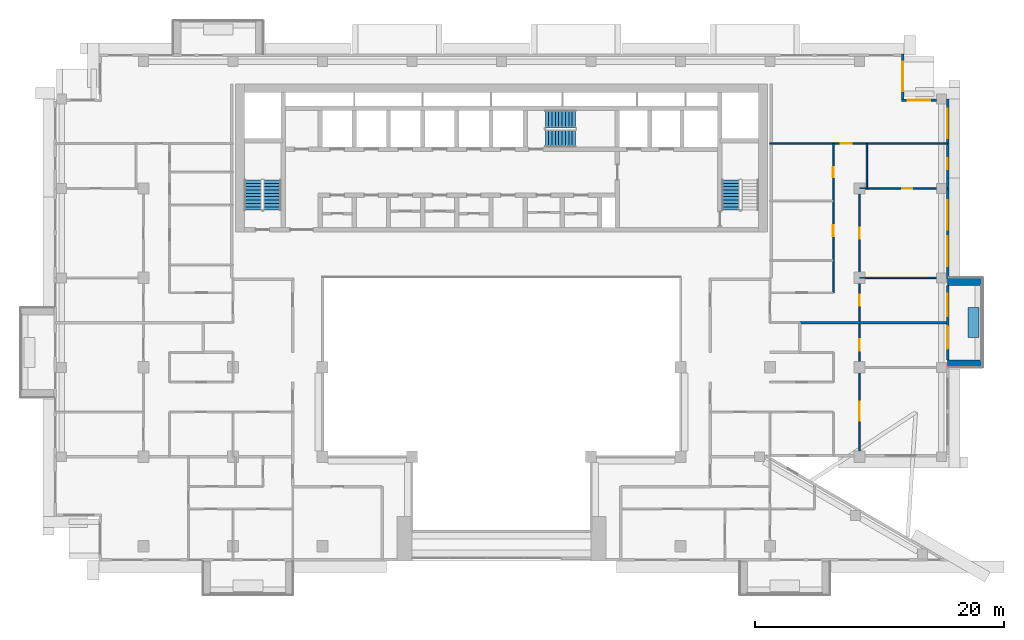
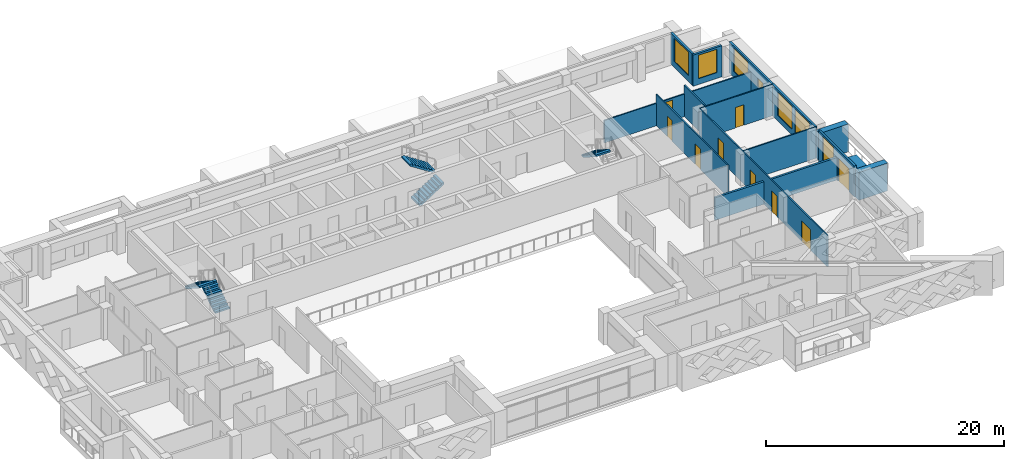
# One storey, part 12 of 20: 14 walls, 9 doors, 7 windows, 5 stair flights, 16 openings, 3 elements without a shape of their own.
"""IFC4 building model written with IfcOpenShell, lengths in metres."""

from ifc_helpers import new_model, si_unit, direction, frame, frame_2d, origin, place, context, subcontext, project, spatial, polyline, rectangle, outline, extrude, material, layer, layer_set, type_object, element, fill, aggregate, save


model = new_model("IFC4")

# Units and contexts
model_context = context("Model", 3, precision=1e-05, world=origin(), true_north=direction((0.0, 1.0)))
body_context = subcontext(model_context, "Body", "Model", "MODEL_VIEW")
ifc_project = project(units=[si_unit("LENGTHUNIT", "METRE"), si_unit("AREAUNIT", "SQUARE_METRE"), si_unit("VOLUMEUNIT", "CUBIC_METRE"), si_unit("PLANEANGLEUNIT", "RADIAN"), si_unit("MASSUNIT", "GRAM", prefix="KILO")], contexts=[model_context])

# Site, building, storey
site_placement = place(None, origin())
site = spatial("IfcSite", under=ifc_project, at=site_placement, CompositionType="ELEMENT")
building_placement = place(site_placement, origin())
building = spatial("IfcBuilding", under=site, at=building_placement, Name="Saffron Iwan Residences", CompositionType="ELEMENT")
storey_placement = place(building_placement, frame((0.0, 0.0, 181.5)))
storey = spatial("IfcBuildingStorey", under=building, at=storey_placement, Name="L48", CompositionType="ELEMENT", Elevation=181.5)

# Walls
ifc_material_1 = material(Name="Concrete C50/60 white painted", Category="concrete")
ifc_layer_1 = layer(ifc_material_1, 0.60009765625)
ifc_layer_set_1 = layer_set([ifc_layer_1], Name="Concrete C50/60 white painted")
wall_type_1 = type_object("IfcWallType", Name="BALCONY FIN 600", PredefinedType="SOLIDWALL", material=ifc_layer_set_1)
for number, where, z_axis, x_axis, name in (
    (1, (86.300048828125, 55.5, 0.0), (0.0, 0.0, 1.0), (1.0, 0.0, 0.0), "Balcony fin L48 F2-0a"),
    (2, (86.300048828125, 62.10009765625, 0.0), (0.0, 0.0, 1.0), (1.0, 0.0, 0.0), "Balcony fin L48 F2-0b"),
):
    element("IfcWall", number, at=place(storey_placement, frame(where, z_axis=z_axis, x_axis=x_axis)), inside=storey, type_object=wall_type_1, Name=name, PredefinedType="SOLIDWALL", context=body_context, shape_type="SweptSolid", body=[
        extrude(rectangle(XDim=2.800048828125, YDim=0.60009765625, at=frame_2d((1.39990234375, 0.0))), origin(), (0.0, 0.0, 1.0), 2.85009765625),
    ])
ifc_material_2 = material(Name="Concrete C35/45 white painted", Category="concrete")
ifc_layer_2 = layer(ifc_material_2, 0.14990234375)
ifc_layer_set_2 = layer_set([ifc_layer_2], Name="Concrete C35/45 white painted")
wall_type_2 = type_object("IfcWallType", Name="BALCONY PLANTER", PredefinedType="SOLIDWALL", material=ifc_layer_set_2)
wall_1_placement = place(storey_placement, frame((88.375, 57.60009765625, 0.0), z_axis=(0.0, 0.0, 1.0), x_axis=(0.0, 1.0, 0.0)))
element("IfcWall", 3, at=wall_1_placement, inside=storey, type_object=wall_type_2, Name="PLANTER L48 F2-0", PredefinedType="SOLIDWALL", context=body_context, shape_type="SweptSolid", body=[
    extrude(rectangle(XDim=2.39990234375, YDim=0.89990234375, at=frame_2d((1.199951171875, 0.0))), origin(), (0.0, 0.0, 1.0), 0.89990234375),
])

# Wall, openings, door, window
ifc_material_3 = material(Name="Concrete C40/50", Category="concrete")
ifc_layer_3 = layer(ifc_material_3, 0.199951171875)
ifc_layer_set_3 = layer_set([ifc_layer_3], Name="Concrete C40/50")
wall_type_3 = type_object("IfcWallType", Name="EXTERNAL WALL 200", PredefinedType="SOLIDWALL", material=ifc_layer_set_3)
wall_2_placement = place(storey_placement, frame((86.300048828125, 55.800048828125, 0.0), z_axis=(0.0, 0.0, 1.0), x_axis=(0.0, 1.0, 0.0)))
wall_2 = element("IfcWall", 4, at=wall_2_placement, inside=storey, type_object=wall_type_3, Name="External wall L48 F2.1", PredefinedType="SOLIDWALL", context=body_context, shape_type="SweptSolid", body=[
    extrude(rectangle(XDim=6.0, YDim=0.199951171875, at=frame_2d((3.0, 0.0))), origin(), (0.0, 0.0, 1.0), 3.199951171875),
])
opening_1_placement = place(wall_2_placement, frame((0.89990234375, 0.0, 0.0)))
opening_1 = element("IfcOpeningElement", 5, at=opening_1_placement, cuts=wall_2, Name="Opening BD1", PredefinedType="OPENING", context=body_context, shape_type="SweptSolid", body=[
    extrude(rectangle(XDim=1.800048828125, YDim=2.39990234375, at=frame_2d((0.89990234375, 1.199951171875))), frame((0.0, 0.10986328125, 0.0), z_axis=(0.0, -1.0, 0.0), x_axis=(1.0, 0.0, 0.0)), (0.0, 0.0, 1.0), 0.219970703125),
])
opening_2_placement = place(wall_2_placement, frame((3.5, 0.0, 0.60009765625)))
opening_2 = element("IfcOpeningElement", 6, at=opening_2_placement, cuts=wall_2, Name="Opening W8", PredefinedType="OPENING", context=body_context, shape_type="SweptSolid", body=[
    extrude(rectangle(XDim=1.800048828125, YDim=2.39990234375, at=frame_2d((0.89990234375, 1.199951171875))), frame((0.0, 0.10986328125, 0.0), z_axis=(0.0, -1.0, 0.0), x_axis=(1.0, 0.0, 0.0)), (0.0, 0.0, 1.0), 0.219970703125),
])
ifc_material_4 = material(Name="Clear glass, laminated double glazed", Category="glass")
door_type_1 = type_object("IfcDoorType", Name="BALCONY DOOR 1800 x 2400", OperationType="DOUBLE_DOOR_SLIDING", PredefinedType="DOOR", material=ifc_material_4)
door_1_placement = place(opening_1_placement, origin())
door_1 = element("IfcDoor", 7, at=door_1_placement, inside=storey, type_object=door_type_1, Name="Balcony door L48 F2.0", OperationType="DOUBLE_DOOR_SLIDING", OverallHeight=2.39990234375, OverallWidth=1.800048828125, PredefinedType="DOOR", context=body_context, shape_type="SweptSolid", body=[
    extrude(rectangle(XDim=1.800048828125, YDim=2.39990234375, at=frame_2d((0.89990234375, 1.199951171875))), frame((0.0, 0.02490234375, 0.0), z_axis=(0.0, -1.0, 0.0), x_axis=(1.0, 0.0, 0.0)), (0.0, 0.0, 1.0), 0.050048828125),
])
fill(opening_1, door_1)
window_type_1 = type_object("IfcWindowType", Name="WINDOW 1800 x 2400", PartitioningType="DOUBLE_PANEL_VERTICAL", PredefinedType="WINDOW", material=ifc_material_4)
window_1_placement = place(opening_2_placement, origin())
window_1 = element("IfcWindow", 8, at=window_1_placement, inside=storey, type_object=window_type_1, Name="Window L48 F2.1", OverallHeight=2.39990234375, OverallWidth=1.800048828125, PartitioningType="DOUBLE_PANEL_VERTICAL", PredefinedType="WINDOW", context=body_context, shape_type="SweptSolid", body=[
    extrude(rectangle(XDim=1.800048828125, YDim=2.39990234375, at=frame_2d((0.89990234375, 1.199951171875))), frame((0.0, 0.030029296875, 0.0), z_axis=(0.0, -1.0, 0.0), x_axis=(1.0, 0.0, 0.0)), (0.0, 0.0, 1.0), 0.06005859375),
])
fill(opening_2, window_1)

# Wall, openings, windows
wall_3_placement = place(storey_placement, frame((86.300048828125, 62.39990234375, 0.0), z_axis=(0.0, 0.0, 1.0), x_axis=(0.0, 1.0, 0.0)))
wall_3 = element("IfcWall", 9, at=wall_3_placement, inside=storey, type_object=wall_type_3, Name="External wall L48 F2.2", PredefinedType="SOLIDWALL", context=body_context, shape_type="SweptSolid", body=[
    extrude(rectangle(XDim=14.400146484375, YDim=0.199951171875, at=frame_2d((7.2001953125, 0.0))), origin(), (0.0, 0.0, 1.0), 3.199951171875),
])
opening_3_placement = place(wall_3_placement, frame((0.949951171875, 0.0, 0.60009765625)))
opening_3 = element("IfcOpeningElement", 10, at=opening_3_placement, cuts=wall_3, Name="Opening W1", PredefinedType="OPENING", context=body_context, shape_type="SweptSolid", body=[
    extrude(rectangle(XDim=2.39990234375, YDim=2.39990234375, at=frame_2d((1.199951171875, 1.199951171875))), frame((0.0, 0.10986328125, 0.0), z_axis=(0.0, -1.0, 0.0), x_axis=(1.0, 0.0, 0.0)), (0.0, 0.0, 1.0), 0.219970703125),
])
opening_4_placement = place(wall_3_placement, frame((3.85009765625, 0.0, 0.60009765625)))
opening_4 = element("IfcOpeningElement", 11, at=opening_4_placement, cuts=wall_3, Name="Opening W1", PredefinedType="OPENING", context=body_context, shape_type="SweptSolid", body=[
    extrude(rectangle(XDim=2.39990234375, YDim=2.39990234375, at=frame_2d((1.199951171875, 1.199951171875))), frame((0.0, 0.10986328125, 0.0), z_axis=(0.0, -1.0, 0.0), x_axis=(1.0, 0.0, 0.0)), (0.0, 0.0, 1.0), 0.219970703125),
])
opening_5_placement = place(wall_3_placement, frame((8.72509765625, 0.0, 1.5)))
opening_5 = element("IfcOpeningElement", 12, at=opening_5_placement, cuts=wall_3, Name="Opening W6", PredefinedType="OPENING", context=body_context, shape_type="SweptSolid", body=[
    extrude(rectangle(XDim=0.89990234375, YDim=0.89990234375, at=frame_2d((0.449951171875, 0.449951171875))), frame((0.0, 0.10986328125, 0.0), z_axis=(0.0, -1.0, 0.0), x_axis=(1.0, 0.0, 0.0)), (0.0, 0.0, 1.0), 0.219970703125),
])
opening_6_placement = place(wall_3_placement, frame((11.22509765625, 0.0, 0.60009765625)))
opening_6 = element("IfcOpeningElement", 13, at=opening_6_placement, cuts=wall_3, Name="Opening W1", PredefinedType="OPENING", context=body_context, shape_type="SweptSolid", body=[
    extrude(rectangle(XDim=2.39990234375, YDim=2.39990234375, at=frame_2d((1.199951171875, 1.199951171875))), frame((0.0, 0.10986328125, 0.0), z_axis=(0.0, -1.0, 0.0), x_axis=(1.0, 0.0, 0.0)), (0.0, 0.0, 1.0), 0.219970703125),
])
window_type_2 = type_object("IfcWindowType", Name="WINDOW 2400 x 2400", PartitioningType="DOUBLE_PANEL_VERTICAL", PredefinedType="WINDOW", material=ifc_material_4)
window_2_placement = place(opening_3_placement, origin())
window_2 = element("IfcWindow", 14, at=window_2_placement, inside=storey, type_object=window_type_2, Name="Window L48 F2.0", OverallHeight=2.39990234375, OverallWidth=2.39990234375, PartitioningType="DOUBLE_PANEL_VERTICAL", PredefinedType="WINDOW", context=body_context, shape_type="SweptSolid", body=[
    extrude(rectangle(XDim=2.39990234375, YDim=2.39990234375, at=frame_2d((1.199951171875, 1.199951171875))), frame((0.0, 0.030029296875, 0.0), z_axis=(0.0, -1.0, 0.0), x_axis=(1.0, 0.0, 0.0)), (0.0, 0.0, 1.0), 0.06005859375),
])
fill(opening_3, window_2)
window_3_placement = place(opening_4_placement, origin())
window_3 = element("IfcWindow", 15, at=window_3_placement, inside=storey, type_object=window_type_2, Name="Window L48 F2.1", OverallHeight=2.39990234375, OverallWidth=2.39990234375, PartitioningType="DOUBLE_PANEL_VERTICAL", PredefinedType="WINDOW", context=body_context, shape_type="SweptSolid", body=[
    extrude(rectangle(XDim=2.39990234375, YDim=2.39990234375, at=frame_2d((1.199951171875, 1.199951171875))), frame((0.0, 0.030029296875, 0.0), z_axis=(0.0, -1.0, 0.0), x_axis=(1.0, 0.0, 0.0)), (0.0, 0.0, 1.0), 0.06005859375),
])
fill(opening_4, window_3)
window_4_placement = place(opening_6_placement, origin())
window_4 = element("IfcWindow", 16, at=window_4_placement, inside=storey, type_object=window_type_2, Name="Window L48 F2.3", OverallHeight=2.39990234375, OverallWidth=2.39990234375, PartitioningType="DOUBLE_PANEL_VERTICAL", PredefinedType="WINDOW", context=body_context, shape_type="SweptSolid", body=[
    extrude(rectangle(XDim=2.39990234375, YDim=2.39990234375, at=frame_2d((1.199951171875, 1.199951171875))), frame((0.0, 0.030029296875, 0.0), z_axis=(0.0, -1.0, 0.0), x_axis=(1.0, 0.0, 0.0)), (0.0, 0.0, 1.0), 0.06005859375),
])
fill(opening_6, window_4)
window_type_3 = type_object("IfcWindowType", Name="WINDOW 900 x 900 BATH", PartitioningType="SINGLE_PANEL", PredefinedType="WINDOW", material=ifc_material_4)
window_5_placement = place(opening_5_placement, origin())
window_5 = element("IfcWindow", 17, at=window_5_placement, inside=storey, type_object=window_type_3, Name="Window L48 F2.2", OverallHeight=0.89990234375, OverallWidth=0.89990234375, PartitioningType="SINGLE_PANEL", PredefinedType="WINDOW", context=body_context, shape_type="SweptSolid", body=[
    extrude(rectangle(XDim=0.89990234375, YDim=0.89990234375, at=frame_2d((0.449951171875, 0.449951171875))), frame((0.0, 0.030029296875, 0.0), z_axis=(0.0, -1.0, 0.0), x_axis=(1.0, 0.0, 0.0)), (0.0, 0.0, 1.0), 0.06005859375),
])
fill(opening_5, window_5)

# Wall, opening, window
wall_4_placement = place(storey_placement, frame((85.39990234375, 76.699951171875, 0.0), z_axis=(0.0, 0.0, 1.0), x_axis=(-1.0, 0.0, 0.0)))
wall_4 = element("IfcWall", 18, at=wall_4_placement, inside=storey, type_object=wall_type_3, Name="External wall L48 F3.0", PredefinedType="SOLIDWALL", context=body_context, shape_type="SweptSolid", body=[
    extrude(rectangle(XDim=2.7998046875, YDim=0.199951171875, at=frame_2d((1.39990234375, 0.0))), origin(), (0.0, 0.0, 1.0), 3.199951171875),
])
opening_7_placement = place(wall_4_placement, frame((0.5, 0.0, 0.60009765625)))
opening_7 = element("IfcOpeningElement", 19, at=opening_7_placement, cuts=wall_4, Name="Opening W8", PredefinedType="OPENING", context=body_context, shape_type="SweptSolid", body=[
    extrude(rectangle(XDim=1.800048828125, YDim=2.39990234375, at=frame_2d((0.89990234375, 1.199951171875))), frame((0.0, 0.10986328125, 0.0), z_axis=(0.0, -1.0, 0.0), x_axis=(1.0, 0.0, 0.0)), (0.0, 0.0, 1.0), 0.219970703125),
])
window_6_placement = place(opening_7_placement, origin())
window_6 = element("IfcWindow", 20, at=window_6_placement, inside=storey, type_object=window_type_1, Name="Window L48 F3.0", OverallHeight=2.39990234375, OverallWidth=1.800048828125, PartitioningType="DOUBLE_PANEL_VERTICAL", PredefinedType="WINDOW", context=body_context, shape_type="SweptSolid", body=[
    extrude(rectangle(XDim=1.800048828125, YDim=2.39990234375, at=frame_2d((0.89990234375, 1.199951171875))), frame((0.0, 0.030029296875, 0.0), z_axis=(0.0, -1.0, 0.0), x_axis=(1.0, 0.0, 0.0)), (0.0, 0.0, 1.0), 0.06005859375),
])
fill(opening_7, window_6)

wall_5_placement = place(storey_placement, frame((82.699951171875, 76.800048828125, 0.0), z_axis=(0.0, 0.0, 1.0), x_axis=(0.0, 1.0, 0.0)))
wall_5 = element("IfcWall", 21, at=wall_5_placement, inside=storey, type_object=wall_type_3, Name="External wall L48 F4.0", PredefinedType="SOLIDWALL", context=body_context, shape_type="SweptSolid", body=[
    extrude(rectangle(XDim=3.599853515625, YDim=0.199951171875, at=frame_2d((1.7998046875, 0.0))), origin(), (0.0, 0.0, 1.0), 3.199951171875),
])
opening_8_placement = place(wall_5_placement, frame((0.60009765625, 0.0, 0.60009765625)))
opening_8 = element("IfcOpeningElement", 22, at=opening_8_placement, cuts=wall_5, Name="Opening W1", PredefinedType="OPENING", context=body_context, shape_type="SweptSolid", body=[
    extrude(rectangle(XDim=2.39990234375, YDim=2.39990234375, at=frame_2d((1.199951171875, 1.199951171875))), frame((0.0, 0.10986328125, 0.0), z_axis=(0.0, -1.0, 0.0), x_axis=(1.0, 0.0, 0.0)), (0.0, 0.0, 1.0), 0.219970703125),
])
window_7_placement = place(opening_8_placement, origin())
window_7 = element("IfcWindow", 23, at=window_7_placement, inside=storey, type_object=window_type_2, Name="Window L48 F4.0", OverallHeight=2.39990234375, OverallWidth=2.39990234375, PartitioningType="DOUBLE_PANEL_VERTICAL", PredefinedType="WINDOW", context=body_context, shape_type="SweptSolid", body=[
    extrude(rectangle(XDim=2.39990234375, YDim=2.39990234375, at=frame_2d((1.199951171875, 1.199951171875))), frame((0.0, 0.030029296875, 0.0), z_axis=(0.0, -1.0, 0.0), x_axis=(1.0, 0.0, 0.0)), (0.0, 0.0, 1.0), 0.06005859375),
])
fill(opening_8, window_7)

# Walls
ifc_material_5 = material(Name="Fire-rated gypsum board wall")
ifc_layer_4 = layer(ifc_material_5, 0.199951171875)
ifc_layer_set_4 = layer_set([ifc_layer_4], Name="Fire-rated gypsum board wall")
wall_type_4 = type_object("IfcWallType", Name="Flat demising wall 200", PredefinedType="SOLIDWALL", material=ifc_layer_set_4)
wall_6_placement = place(storey_placement, frame((74.39990234375, 58.800048828125, 0.0), z_axis=(0.0, 0.0, 1.0), x_axis=(1.0, 0.0, 0.0)))
element("IfcWall", 24, at=wall_6_placement, inside=storey, type_object=wall_type_4, Name="W-L48-DEMISE-h58.8-74.4", PredefinedType="SOLIDWALL", context=body_context, shape_type="SweptSolid", body=[
    extrude(rectangle(XDim=11.875, YDim=0.199951171875, at=frame_2d((5.9375, 0.0))), origin(), (0.0, 0.0, 1.0), 2.300048828125),
])
ifc_material_6 = material(Name="Gypsum board partition")
ifc_layer_5 = layer(ifc_material_6, 0.1201171875)
ifc_layer_set_5 = layer_set([ifc_layer_5], Name="Gypsum board partition")
wall_type_5 = type_object("IfcWallType", Name="Flat partition 120", PredefinedType="PARTITIONING", material=ifc_layer_set_5)
wall_7_placement = place(storey_placement, frame((79.199951171875, 62.39990234375, 0.0), z_axis=(0.0, 0.0, 1.0), x_axis=(1.0, 0.0, 0.0)))
element("IfcWall", 25, at=wall_7_placement, inside=storey, type_object=wall_type_5, Name="W-L48-PART-h62.4-79.2", PredefinedType="PARTITIONING", context=body_context, shape_type="SweptSolid", body=[
    extrude(rectangle(XDim=7.074951171875, YDim=0.1201171875, at=frame_2d((3.53759765625, 0.0))), origin(), (0.0, 0.0, 1.0), 3.199951171875),
])

# Wall, opening, door
wall_8_placement = place(storey_placement, frame((79.199951171875, 69.60009765625, 0.0), z_axis=(0.0, 0.0, 1.0), x_axis=(1.0, 0.0, 0.0)))
wall_8 = element("IfcWall", 26, at=wall_8_placement, inside=storey, type_object=wall_type_5, Name="W-L48-PART-h69.6-79.2", PredefinedType="PARTITIONING", context=body_context, shape_type="SweptSolid", body=[
    extrude(rectangle(XDim=7.074951171875, YDim=0.1201171875, at=frame_2d((3.53759765625, 0.0))), origin(), (0.0, 0.0, 1.0), 3.199951171875),
])
opening_9_placement = place(wall_8_placement, frame((3.4375, 0.0, 0.0)))
opening_9 = element("IfcOpeningElement", 27, at=opening_9_placement, cuts=wall_8, Name="Opening FD3", PredefinedType="OPENING", context=body_context, shape_type="SweptSolid", body=[
    extrude(rectangle(XDim=0.800048828125, YDim=2.10009765625, at=frame_2d((0.39990234375, 1.050048828125))), frame((0.0, 0.070068359375, 0.0), z_axis=(0.0, -1.0, 0.0), x_axis=(1.0, 0.0, 0.0)), (0.0, 0.0, 1.0), 0.14013671875),
])
ifc_material_7 = material(Name="Timber door", Category="wood")
door_type_2 = type_object("IfcDoorType", Name="Bathroom door 800", OperationType="NOTDEFINED", PredefinedType="DOOR", material=ifc_material_7)
door_2_placement = place(opening_9_placement, origin())
door_2 = element("IfcDoor", 28, at=door_2_placement, inside=storey, type_object=door_type_2, Name="Door L48-034", OperationType="SINGLE_SWING_RIGHT", OverallHeight=2.10009765625, OverallWidth=0.800048828125, PredefinedType="DOOR", context=body_context, shape_type="SweptSolid", body=[
    extrude(rectangle(XDim=0.800048828125, YDim=2.10009765625, at=frame_2d((0.39990234375, 1.050048828125))), frame((0.0, 0.02490234375, 0.0), z_axis=(0.0, -1.0, 0.0), x_axis=(1.0, 0.0, 0.0)), (0.0, 0.0, 1.0), 0.050048828125),
])
fill(opening_9, door_2)

wall_9_placement = place(storey_placement, frame((72.0, 73.199951171875, 0.0), z_axis=(0.0, 0.0, 1.0), x_axis=(1.0, 0.0, 0.0)))
wall_9 = element("IfcWall", 29, at=wall_9_placement, inside=storey, type_object=wall_type_5, Name="W-L48-PART-h73.2-72", PredefinedType="PARTITIONING", context=body_context, shape_type="SweptSolid", body=[
    extrude(rectangle(XDim=14.27490234375, YDim=0.1201171875, at=frame_2d((7.137451171875, 0.0))), origin(), (0.0, 0.0, 1.0), 2.300048828125),
])
opening_10_placement = place(wall_9_placement, frame((5.699951171875, 0.0, 0.0)))
opening_10 = element("IfcOpeningElement", 30, at=opening_10_placement, cuts=wall_9, Name="Opening FD2", PredefinedType="OPENING", context=body_context, shape_type="SweptSolid", body=[
    extrude(rectangle(XDim=0.89990234375, YDim=2.10009765625, at=frame_2d((0.449951171875, 1.050048828125))), frame((0.0, 0.070068359375, 0.0), z_axis=(0.0, -1.0, 0.0), x_axis=(1.0, 0.0, 0.0)), (0.0, 0.0, 1.0), 0.14013671875),
])
door_type_3 = type_object("IfcDoorType", Name="Flat door 900", OperationType="NOTDEFINED", PredefinedType="DOOR", material=ifc_material_7)
door_3_placement = place(opening_10_placement, origin())
door_3 = element("IfcDoor", 31, at=door_3_placement, inside=storey, type_object=door_type_3, Name="Door L48-035", OperationType="SINGLE_SWING_LEFT", OverallHeight=2.10009765625, OverallWidth=0.89990234375, PredefinedType="DOOR", context=body_context, shape_type="SweptSolid", body=[
    extrude(rectangle(XDim=0.89990234375, YDim=2.10009765625, at=frame_2d((0.449951171875, 1.050048828125))), frame((0.0, 0.02490234375, 0.0), z_axis=(0.0, -1.0, 0.0), x_axis=(1.0, 0.0, 0.0)), (0.0, 0.0, 1.0), 0.050048828125),
])
fill(opening_10, door_3)

# Wall, openings, doors
wall_10_placement = place(storey_placement, frame((77.10009765625, 61.199951171875, 0.0), z_axis=(0.0, 0.0, 1.0), x_axis=(0.0, 1.0, 0.0)))
wall_10 = element("IfcWall", 32, at=wall_10_placement, inside=storey, type_object=wall_type_5, Name="W-L48-PART-v77.1-61.2", PredefinedType="PARTITIONING", context=body_context, shape_type="SweptSolid", body=[
    extrude(rectangle(XDim=12.0, YDim=0.1201171875, at=frame_2d((6.0, 0.0))), origin(), (0.0, 0.0, 1.0), 3.199951171875),
])
opening_11_placement = place(wall_10_placement, frame((4.550048828125, 0.0, 0.0)))
opening_11 = element("IfcOpeningElement", 33, at=opening_11_placement, cuts=wall_10, Name="Opening FD2", PredefinedType="OPENING", context=body_context, shape_type="SweptSolid", body=[
    extrude(rectangle(XDim=0.89990234375, YDim=2.10009765625, at=frame_2d((0.449951171875, 1.050048828125))), frame((0.0, 0.070068359375, 0.0), z_axis=(0.0, -1.0, 0.0), x_axis=(1.0, 0.0, 0.0)), (0.0, 0.0, 1.0), 0.14013671875),
])
opening_12_placement = place(wall_10_placement, frame((9.300048828125, 0.0, 0.0)))
opening_12 = element("IfcOpeningElement", 34, at=opening_12_placement, cuts=wall_10, Name="Opening FD3", PredefinedType="OPENING", context=body_context, shape_type="SweptSolid", body=[
    extrude(rectangle(XDim=0.800048828125, YDim=2.10009765625, at=frame_2d((0.39990234375, 1.050048828125))), frame((0.0, 0.070068359375, 0.0), z_axis=(0.0, -1.0, 0.0), x_axis=(1.0, 0.0, 0.0)), (0.0, 0.0, 1.0), 0.14013671875),
])
door_4_placement = place(opening_12_placement, origin())
door_4 = element("IfcDoor", 35, at=door_4_placement, inside=storey, type_object=door_type_2, Name="Door L48-038", OperationType="SINGLE_SWING_LEFT", OverallHeight=2.10009765625, OverallWidth=0.800048828125, PredefinedType="DOOR", context=body_context, shape_type="SweptSolid", body=[
    extrude(rectangle(XDim=0.800048828125, YDim=2.10009765625, at=frame_2d((0.39990234375, 1.050048828125))), frame((0.0, 0.02490234375, 0.0), z_axis=(0.0, -1.0, 0.0), x_axis=(1.0, 0.0, 0.0)), (0.0, 0.0, 1.0), 0.050048828125),
])
fill(opening_12, door_4)
door_5_placement = place(opening_11_placement, origin())
door_5 = element("IfcDoor", 36, at=door_5_placement, inside=storey, type_object=door_type_3, Name="Door L48-037", OperationType="SINGLE_SWING_RIGHT", OverallHeight=2.10009765625, OverallWidth=0.89990234375, PredefinedType="DOOR", context=body_context, shape_type="SweptSolid", body=[
    extrude(rectangle(XDim=0.89990234375, YDim=2.10009765625, at=frame_2d((0.449951171875, 1.050048828125))), frame((0.0, 0.02490234375, 0.0), z_axis=(0.0, -1.0, 0.0), x_axis=(1.0, 0.0, 0.0)), (0.0, 0.0, 1.0), 0.050048828125),
])
fill(opening_11, door_5)

wall_11_placement = place(storey_placement, frame((79.199951171875, 48.125, 0.0), z_axis=(0.0, 0.0, 1.0), x_axis=(0.0, 1.0, 0.0)))
wall_11 = element("IfcWall", 37, at=wall_11_placement, inside=storey, type_object=wall_type_5, Name="W-L48-PART-v79.2-48.125", PredefinedType="PARTITIONING", context=body_context, shape_type="SweptSolid", body=[
    extrude(rectangle(XDim=21.47509765625, YDim=0.1201171875, at=frame_2d((10.737548828125, 0.0))), origin(), (0.0, 0.0, 1.0), 3.199951171875),
])
opening_13_placement = place(wall_11_placement, frame((2.78759765625, 0.0, 0.0)))
opening_13 = element("IfcOpeningElement", 38, at=opening_13_placement, cuts=wall_11, Name="Opening FD4", PredefinedType="OPENING", context=body_context, shape_type="SweptSolid", body=[
    extrude(rectangle(XDim=1.5, YDim=2.10009765625, at=frame_2d((0.75, 1.050048828125))), frame((0.0, 0.070068359375, 0.0), z_axis=(0.0, -1.0, 0.0), x_axis=(1.0, 0.0, 0.0)), (0.0, 0.0, 1.0), 0.14013671875),
])
opening_14_placement = place(wall_11_placement, frame((8.425048828125, 0.0, 0.0)))
opening_14 = element("IfcOpeningElement", 39, at=opening_14_placement, cuts=wall_11, Name="Opening FD2", PredefinedType="OPENING", context=body_context, shape_type="SweptSolid", body=[
    extrude(rectangle(XDim=0.89990234375, YDim=2.10009765625, at=frame_2d((0.449951171875, 1.050048828125))), frame((0.0, 0.070068359375, 0.0), z_axis=(0.0, -1.0, 0.0), x_axis=(1.0, 0.0, 0.0)), (0.0, 0.0, 1.0), 0.14013671875),
])
opening_15_placement = place(wall_11_placement, frame((12.02490234375, 0.0, 0.0)))
opening_15 = element("IfcOpeningElement", 40, at=opening_15_placement, cuts=wall_11, Name="Opening FD2", PredefinedType="OPENING", context=body_context, shape_type="SweptSolid", body=[
    extrude(rectangle(XDim=0.89990234375, YDim=2.10009765625, at=frame_2d((0.449951171875, 1.050048828125))), frame((0.0, 0.070068359375, 0.0), z_axis=(0.0, -1.0, 0.0), x_axis=(1.0, 0.0, 0.0)), (0.0, 0.0, 1.0), 0.14013671875),
])
opening_16_placement = place(wall_11_placement, frame((17.425048828125, 0.0, 0.0)))
opening_16 = element("IfcOpeningElement", 41, at=opening_16_placement, cuts=wall_11, Name="Opening FD2", PredefinedType="OPENING", context=body_context, shape_type="SweptSolid", body=[
    extrude(rectangle(XDim=0.89990234375, YDim=2.10009765625, at=frame_2d((0.449951171875, 1.050048828125))), frame((0.0, 0.070068359375, 0.0), z_axis=(0.0, -1.0, 0.0), x_axis=(1.0, 0.0, 0.0)), (0.0, 0.0, 1.0), 0.14013671875),
])
door_type_4 = type_object("IfcDoorType", Name="Double door 1500", OperationType="NOTDEFINED", PredefinedType="DOOR", material=ifc_material_7)
door_6_placement = place(opening_13_placement, origin())
door_6 = element("IfcDoor", 42, at=door_6_placement, inside=storey, type_object=door_type_4, Name="Door L48-015", OperationType="SINGLE_SWING_LEFT", OverallHeight=2.10009765625, OverallWidth=1.5, PredefinedType="DOOR", context=body_context, shape_type="SweptSolid", body=[
    extrude(rectangle(XDim=1.5, YDim=2.10009765625, at=frame_2d((0.75, 1.050048828125))), frame((0.0, 0.02490234375, 0.0), z_axis=(0.0, -1.0, 0.0), x_axis=(1.0, 0.0, 0.0)), (0.0, 0.0, 1.0), 0.050048828125),
])
fill(opening_13, door_6)
door_7_placement = place(opening_14_placement, origin())
door_7 = element("IfcDoor", 43, at=door_7_placement, inside=storey, type_object=door_type_3, Name="Door L48-016", OperationType="SINGLE_SWING_RIGHT", OverallHeight=2.10009765625, OverallWidth=0.89990234375, PredefinedType="DOOR", context=body_context, shape_type="SweptSolid", body=[
    extrude(rectangle(XDim=0.89990234375, YDim=2.10009765625, at=frame_2d((0.449951171875, 1.050048828125))), frame((0.0, 0.02490234375, 0.0), z_axis=(0.0, -1.0, 0.0), x_axis=(1.0, 0.0, 0.0)), (0.0, 0.0, 1.0), 0.050048828125),
])
fill(opening_14, door_7)
door_8_placement = place(opening_15_placement, origin())
door_8 = element("IfcDoor", 44, at=door_8_placement, inside=storey, type_object=door_type_3, Name="Door L48-032", OperationType="SINGLE_SWING_LEFT", OverallHeight=2.10009765625, OverallWidth=0.89990234375, PredefinedType="DOOR", context=body_context, shape_type="SweptSolid", body=[
    extrude(rectangle(XDim=0.89990234375, YDim=2.10009765625, at=frame_2d((0.449951171875, 1.050048828125))), frame((0.0, 0.02490234375, 0.0), z_axis=(0.0, -1.0, 0.0), x_axis=(1.0, 0.0, 0.0)), (0.0, 0.0, 1.0), 0.050048828125),
])
fill(opening_15, door_8)
door_9_placement = place(opening_16_placement, origin())
door_9 = element("IfcDoor", 45, at=door_9_placement, inside=storey, type_object=door_type_3, Name="Door L48-033", OperationType="SINGLE_SWING_LEFT", OverallHeight=2.10009765625, OverallWidth=0.89990234375, PredefinedType="DOOR", context=body_context, shape_type="SweptSolid", body=[
    extrude(rectangle(XDim=0.89990234375, YDim=2.10009765625, at=frame_2d((0.449951171875, 1.050048828125))), frame((0.0, 0.02490234375, 0.0), z_axis=(0.0, -1.0, 0.0), x_axis=(1.0, 0.0, 0.0)), (0.0, 0.0, 1.0), 0.050048828125),
])
fill(opening_16, door_9)

# Wall
wall_12_placement = place(storey_placement, frame((79.800048828125, 69.60009765625, 0.0), z_axis=(0.0, 0.0, 1.0), x_axis=(0.0, 1.0, 0.0)))
element("IfcWall", 46, at=wall_12_placement, inside=storey, type_object=wall_type_5, Name="W-L48-PART-v79.8-69.6", PredefinedType="PARTITIONING", context=body_context, shape_type="SweptSolid", body=[
    extrude(rectangle(XDim=3.599853515625, YDim=0.1201171875, at=frame_2d((1.7998046875, 0.0))), origin(), (0.0, 0.0, 1.0), 3.199951171875),
])

# Stair, stair flights
ifc_material_8 = material(Name="Concrete C50/60", Category="concrete")
stair_type = type_object("IfcStairType", Name="Stair ST-CORE", PredefinedType="HALF_TURN_STAIR", material=ifc_material_8)
stair_1_placement = place(storey_placement, origin())
stair_1 = element("IfcStair", 47, at=stair_1_placement, inside=storey, type_object=stair_type, Name="L48 Exit Stair ST-W", PredefinedType="HALF_TURN_STAIR")
ifc_layer_6 = layer(ifc_material_8, 0.14990234375)
ifc_layer_set_6 = layer_set([ifc_layer_6], Name="Concrete C50/60")
stair_flight_type = type_object("IfcStairFlightType", Name="Stair flight SFL-RC", PredefinedType="STRAIGHT", material=ifc_layer_set_6)
stair_flight_1_placement = place(storey_placement, frame((31.949951171875, 67.85009765625, 0.0), z_axis=(0.0, 0.0, 1.0), x_axis=(0.0, 1.0, 0.0)))
stair_flight_1 = element("IfcStairFlight", 48, at=stair_flight_1_placement, type_object=stair_flight_type, Name="ST-W flight 1", NumberOfRisers=10, NumberOfTreads=9, PredefinedType="STRAIGHT", RiserHeight=0.175, TreadLength=0.27, context=body_context, shape_type="SweptSolid", body=[
    extrude(outline(polyline([(0.0, 0.0), (0.0, 0.175048828125), (0.27001953125, 0.175048828125), (0.27001953125, 0.35009765625), (0.5400390625, 0.35009765625), (0.5400390625, 0.52490234375), (0.81005859375, 0.52490234375), (0.81005859375, 0.699951171875), (1.080078125, 0.699951171875), (1.080078125, 0.875), (1.35009765625, 0.875), (1.35009765625, 1.050048828125), (1.6201171875, 1.050048828125), (1.6201171875, 1.22509765625), (1.889892578125, 1.22509765625), (1.889892578125, 1.39990234375), (2.159912109375, 1.39990234375), (2.159912109375, 1.574951171875), (2.429931640625, 1.574951171875), (2.429931640625, 1.75), (2.429931640625, 1.396484375), (0.275634765625, 0.0), (0.0, 0.0)])), frame((0.0, 0.699951171875, 0.0), z_axis=(0.0, -1.0, 0.0), x_axis=(1.0, 0.0, 0.0)), (0.0, 0.0, 1.0), 1.39990234375),
])
stair_flight_2_placement = place(storey_placement, frame((30.39990234375, 70.280029296875, 1.75), z_axis=(0.0, 0.0, 1.0), x_axis=(0.0, -1.0, 0.0)))
stair_flight_2 = element("IfcStairFlight", 49, at=stair_flight_2_placement, type_object=stair_flight_type, Name="ST-W flight 2", NumberOfRisers=10, NumberOfTreads=9, PredefinedType="STRAIGHT", RiserHeight=0.175, TreadLength=0.27, context=body_context, shape_type="SweptSolid", body=[
    extrude(outline(polyline([(0.0, 0.0), (0.0, 0.175048828125), (0.27001953125, 0.175048828125), (0.27001953125, 0.35009765625), (0.5400390625, 0.35009765625), (0.5400390625, 0.52490234375), (0.81005859375, 0.52490234375), (0.81005859375, 0.699951171875), (1.080078125, 0.699951171875), (1.080078125, 0.875), (1.35009765625, 0.875), (1.35009765625, 1.050048828125), (1.6201171875, 1.050048828125), (1.6201171875, 1.22509765625), (1.889892578125, 1.22509765625), (1.889892578125, 1.39990234375), (2.159912109375, 1.39990234375), (2.159912109375, 1.574951171875), (2.429931640625, 1.574951171875), (2.429931640625, 1.75), (2.429931640625, 1.396484375), (0.275634765625, 0.0), (0.0, 0.0)])), frame((0.0, 0.699951171875, 0.0), z_axis=(0.0, -1.0, 0.0), x_axis=(1.0, 0.0, 0.0)), (0.0, 0.0, 1.0), 1.39990234375),
])
aggregate(stair_1, [stair_flight_1, stair_flight_2])

stair_2_placement = place(storey_placement, origin())
stair_2 = element("IfcStair", 50, at=stair_2_placement, inside=storey, type_object=stair_type, Name="L48 Exit Stair ST-C", PredefinedType="HALF_TURN_STAIR")
stair_flight_3_placement = place(storey_placement, frame((53.925048828125, 73.625, 0.0), z_axis=(0.0, 0.0, 1.0), x_axis=(1.0, 0.0, 0.0)))
stair_flight_3 = element("IfcStairFlight", 51, at=stair_flight_3_placement, type_object=stair_flight_type, Name="ST-C flight 1", NumberOfRisers=10, NumberOfTreads=9, PredefinedType="STRAIGHT", RiserHeight=0.175, TreadLength=0.27, context=body_context, shape_type="SweptSolid", body=[
    extrude(outline(polyline([(0.0, 0.0), (0.0, 0.175048828125), (0.27001953125, 0.175048828125), (0.27001953125, 0.35009765625), (0.5400390625, 0.35009765625), (0.5400390625, 0.52490234375), (0.81005859375, 0.52490234375), (0.81005859375, 0.699951171875), (1.080078125, 0.699951171875), (1.080078125, 0.875), (1.35009765625, 0.875), (1.35009765625, 1.050048828125), (1.6201171875, 1.050048828125), (1.6201171875, 1.22509765625), (1.889892578125, 1.22509765625), (1.889892578125, 1.39990234375), (2.159912109375, 1.39990234375), (2.159912109375, 1.574951171875), (2.429931640625, 1.574951171875), (2.429931640625, 1.75), (2.429931640625, 1.396484375), (0.275634765625, 0.0), (0.0, 0.0)])), frame((0.0, 0.699951171875, 0.0), z_axis=(0.0, -1.0, 0.0), x_axis=(1.0, 0.0, 0.0)), (0.0, 0.0, 1.0), 1.39990234375),
])
stair_flight_4_placement = place(storey_placement, frame((56.35498046875, 75.175048828125, 1.75), z_axis=(0.0, 0.0, 1.0), x_axis=(-1.0, 0.0, 0.0)))
stair_flight_4 = element("IfcStairFlight", 52, at=stair_flight_4_placement, type_object=stair_flight_type, Name="ST-C flight 2", NumberOfRisers=10, NumberOfTreads=9, PredefinedType="STRAIGHT", RiserHeight=0.175, TreadLength=0.27, context=body_context, shape_type="SweptSolid", body=[
    extrude(outline(polyline([(0.0, 0.0), (0.0, 0.175048828125), (0.27001953125, 0.175048828125), (0.27001953125, 0.35009765625), (0.5400390625, 0.35009765625), (0.5400390625, 0.52490234375), (0.81005859375, 0.52490234375), (0.81005859375, 0.699951171875), (1.080078125, 0.699951171875), (1.080078125, 0.875), (1.35009765625, 0.875), (1.35009765625, 1.050048828125), (1.6201171875, 1.050048828125), (1.6201171875, 1.22509765625), (1.889892578125, 1.22509765625), (1.889892578125, 1.39990234375), (2.159912109375, 1.39990234375), (2.159912109375, 1.574951171875), (2.429931640625, 1.574951171875), (2.429931640625, 1.75), (2.429931640625, 1.396484375), (0.275634765625, 0.0), (0.0, 0.0)])), frame((0.0, 0.699951171875, 0.0), z_axis=(0.0, -1.0, 0.0), x_axis=(1.0, 0.0, 0.0)), (0.0, 0.0, 1.0), 1.39990234375),
])
aggregate(stair_2, [stair_flight_3, stair_flight_4])

# Stair, stair flight
stair_3_placement = place(storey_placement, origin())
stair_3 = element("IfcStair", 53, at=stair_3_placement, inside=storey, type_object=stair_type, Name="L48 Exit Stair ST-E", PredefinedType="HALF_TURN_STAIR")
stair_flight_5_placement = place(storey_placement, frame((68.85009765625, 70.280029296875, 1.75), z_axis=(0.0, 0.0, 1.0), x_axis=(0.0, -1.0, 0.0)))
stair_flight_5 = element("IfcStairFlight", 54, at=stair_flight_5_placement, type_object=stair_flight_type, Name="ST-E flight 2", NumberOfRisers=10, NumberOfTreads=9, PredefinedType="STRAIGHT", RiserHeight=0.175, TreadLength=0.27, context=body_context, shape_type="SweptSolid", body=[
    extrude(outline(polyline([(0.0, 0.0), (0.0, 0.175048828125), (0.27001953125, 0.175048828125), (0.27001953125, 0.35009765625), (0.5400390625, 0.35009765625), (0.5400390625, 0.52490234375), (0.81005859375, 0.52490234375), (0.81005859375, 0.699951171875), (1.080078125, 0.699951171875), (1.080078125, 0.875), (1.35009765625, 0.875), (1.35009765625, 1.050048828125), (1.6201171875, 1.050048828125), (1.6201171875, 1.22509765625), (1.889892578125, 1.22509765625), (1.889892578125, 1.39990234375), (2.159912109375, 1.39990234375), (2.159912109375, 1.574951171875), (2.429931640625, 1.574951171875), (2.429931640625, 1.75), (2.429931640625, 1.396484375), (0.275634765625, 0.0), (0.0, 0.0)])), frame((0.0, 0.699951171875, 0.0), z_axis=(0.0, -1.0, 0.0), x_axis=(1.0, 0.0, 0.0)), (0.0, 0.0, 1.0), 1.39990234375),
])
aggregate(stair_3, [stair_flight_5])

save(model, "model.ifc")
